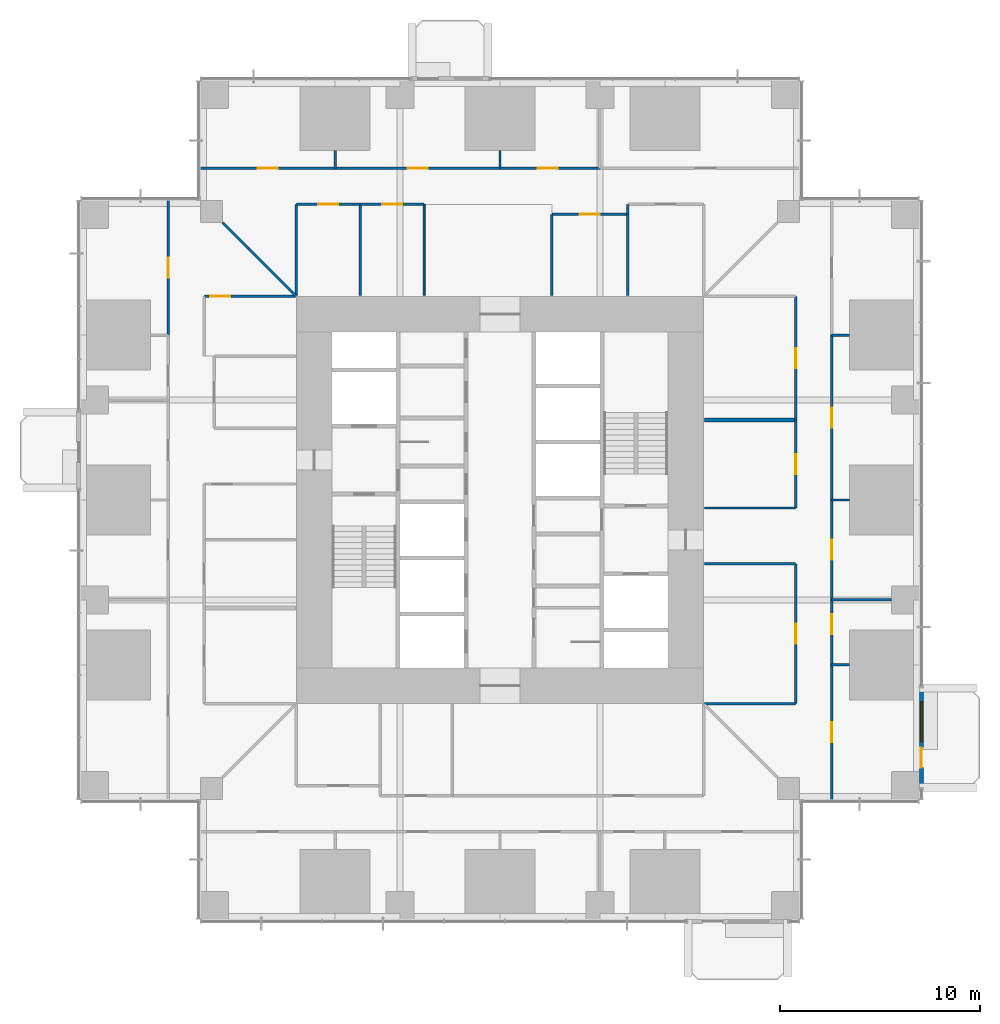
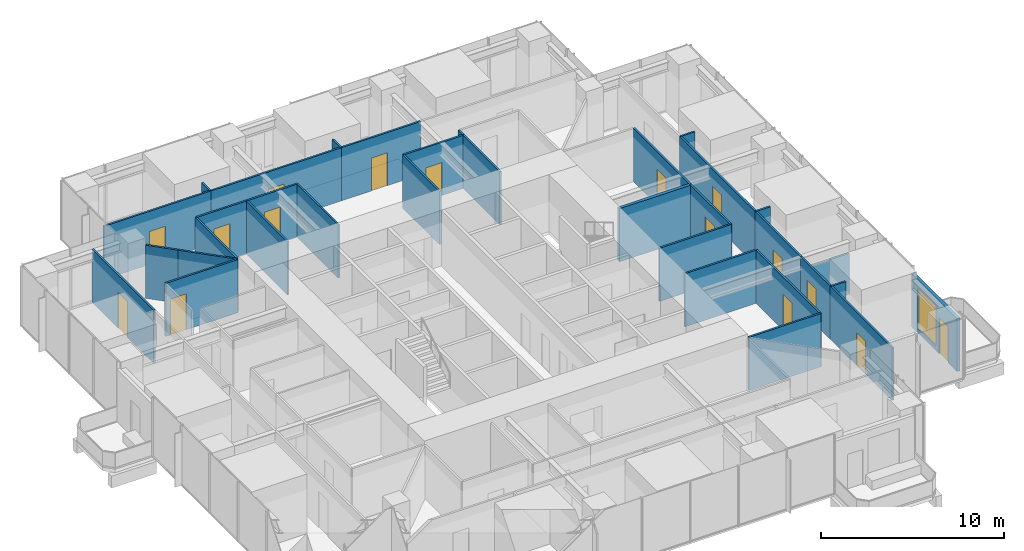
# One storey, part 12 of 17: 34 walls, 16 doors, 1 window, 17 openings.
"""IFC4 building model written with IfcOpenShell, lengths in metres."""

from ifc_helpers import new_model, si_unit, direction, frame, frame_2d, origin, place, context, subcontext, project, spatial, rectangle, extrude, material, layer, layer_set, type_object, element, fill, save


model = new_model("IFC4")

# Units and contexts
model_context = context("Model", 3, precision=1e-05, world=origin(), true_north=direction((0.0, 1.0)))
body_context = subcontext(model_context, "Body", "Model", "MODEL_VIEW")
ifc_project = project(units=[si_unit("LENGTHUNIT", "METRE"), si_unit("AREAUNIT", "SQUARE_METRE"), si_unit("VOLUMEUNIT", "CUBIC_METRE"), si_unit("PLANEANGLEUNIT", "RADIAN"), si_unit("MASSUNIT", "GRAM", prefix="KILO")], contexts=[model_context])

# Site, building, storey
site_placement = place(None, origin())
site = spatial("IfcSite", under=ifc_project, at=site_placement, CompositionType="ELEMENT")
building_placement = place(site_placement, origin())
building = spatial("IfcBuilding", under=site, at=building_placement, Name="Svetlomir Tower", CompositionType="ELEMENT")
storey_placement = place(building_placement, frame((0.0, 0.0, 82.5)))
storey = spatial("IfcBuildingStorey", under=building, at=storey_placement, Name="L19", CompositionType="ELEMENT", Elevation=82.5)

# Wall
ifc_material_1 = material(Name="Gypsum board on twin steel studs", Category="steel")
ifc_layer_1 = layer(ifc_material_1, 0.199951171875)
ifc_layer_set_1 = layer_set([ifc_layer_1], Name="Gypsum board on twin steel studs")
wall_type_1 = type_object("IfcWallType", Name="ACOUSTIC PARTITION 200", PredefinedType="PARTITIONING", material=ifc_layer_set_1)
wall_1_placement = place(storey_placement, frame((31.25, 25.0, 0.0), z_axis=(0.0, 0.0, 1.0), x_axis=(1.0, 0.0, 0.0)))
element("IfcWall", 1, at=wall_1_placement, inside=storey, type_object=wall_type_1, Name="Acoustic partition L19", PredefinedType="PARTITIONING", context=body_context, shape_type="SweptSolid", body=[
    extrude(rectangle(XDim=4.550048828125, YDim=0.199951171875, at=frame_2d((2.27490234375, 0.0))), origin(), (0.0, 0.0, 1.0), 3.550048828125),
])

# Wall, openings, door, window
ifc_material_2 = material(Name="Bronze anodised aluminium glazed screen", Category="aluminium")
ifc_layer_2 = layer(ifc_material_2, 0.199951171875)
ifc_layer_set_2 = layer_set([ifc_layer_2], Name="Bronze anodised aluminium glazed screen")
wall_type_2 = type_object("IfcWallType", Name="BALCONY SCREEN WALL 200", PredefinedType="USERDEFINED", material=ifc_layer_set_2)
wall_2_placement = place(storey_placement, frame((42.10009765625, 6.60009765625, 0.0), z_axis=(0.0, 0.0, 1.0), x_axis=(0.0, 1.0, 0.0)))
wall_2 = element("IfcWall", 2, at=wall_2_placement, inside=storey, type_object=wall_type_2, Name="Balcony screen E", ObjectType="GLAZED SCREEN", PredefinedType="USERDEFINED", context=body_context, shape_type="SweptSolid", body=[
    extrude(rectangle(XDim=5.0, YDim=0.199951171875, at=frame_2d((2.5, 0.0))), origin(), (0.0, 0.0, 1.0), 3.550048828125),
])
opening_1_placement = place(wall_2_placement, frame((1.0, 0.0, 0.0)))
opening_1 = element("IfcOpeningElement", 3, at=opening_1_placement, cuts=wall_2, Name="Opening BD", PredefinedType="OPENING", context=body_context, shape_type="SweptSolid", body=[
    extrude(rectangle(XDim=1.0, YDim=2.39990234375, at=frame_2d((0.5, 1.199951171875))), frame((0.0, 0.10986328125, 0.0), z_axis=(0.0, -1.0, 0.0), x_axis=(1.0, 0.0, 0.0)), (0.0, 0.0, 1.0), 0.219970703125),
])
opening_2_placement = place(wall_2_placement, frame((2.300048828125, 0.0, 0.300048828125)))
opening_2 = element("IfcOpeningElement", 4, at=opening_2_placement, cuts=wall_2, Name="Opening WS", PredefinedType="OPENING", context=body_context, shape_type="SweptSolid", body=[
    extrude(rectangle(XDim=2.0, YDim=2.699951171875, at=frame_2d((1.0, 1.35009765625))), frame((0.0, 0.10986328125, 0.0), z_axis=(0.0, -1.0, 0.0), x_axis=(1.0, 0.0, 0.0)), (0.0, 0.0, 1.0), 0.219970703125),
])
ifc_material_3 = material(Name="Bronze anodised aluminium glazed door", Category="aluminium")
door_type_1 = type_object("IfcDoorType", Name="BALCONY DOOR BD 1000x2400", OperationType="SINGLE_SWING_LEFT", PredefinedType="DOOR", material=ifc_material_3)
door_1_placement = place(opening_1_placement, origin())
door_1 = element("IfcDoor", 5, at=door_1_placement, inside=storey, type_object=door_type_1, Name="Balcony screen E door", OperationType="SINGLE_SWING_LEFT", OverallHeight=2.39990234375, OverallWidth=1.0, PredefinedType="DOOR", context=body_context, shape_type="SweptSolid", body=[
    extrude(rectangle(XDim=1.0, YDim=2.39990234375, at=frame_2d((0.5, 1.199951171875))), frame((0.0, 0.02490234375, 0.0), z_axis=(0.0, -1.0, 0.0), x_axis=(1.0, 0.0, 0.0)), (0.0, 0.0, 1.0), 0.050048828125),
])
fill(opening_1, door_1)
ifc_material_4 = material(Name="Bronze anodised aluminium window", Category="aluminium")
window_type = type_object("IfcWindowType", Name="SCREEN WINDOW WS 2000x2700", PartitioningType="SINGLE_PANEL", PredefinedType="WINDOW", material=ifc_material_4)
window_placement = place(opening_2_placement, origin())
window = element("IfcWindow", 6, at=window_placement, inside=storey, type_object=window_type, Name="Balcony screen E window 1", OverallHeight=2.699951171875, OverallWidth=2.0, PartitioningType="SINGLE_PANEL", PredefinedType="WINDOW", context=body_context, shape_type="SweptSolid", body=[
    extrude(rectangle(XDim=2.0, YDim=2.699951171875, at=frame_2d((1.0, 1.35009765625))), frame((0.0, 0.030029296875, 0.0), z_axis=(0.0, -1.0, 0.0), x_axis=(1.0, 0.0, 0.0)), (0.0, 0.0, 1.0), 0.06005859375),
])
fill(opening_2, window)

# Wall
ifc_material_5 = material(Name="Framed laminated glass partition", Category="glass")
ifc_layer_3 = layer(ifc_material_5, 0.10009765625)
ifc_layer_set_3 = layer_set([ifc_layer_3], Name="Framed laminated glass partition")
wall_type_3 = type_object("IfcWallType", Name="GLAZED PARTITION 100", PredefinedType="PARTITIONING", material=ifc_layer_set_3)
wall_3_placement = place(storey_placement, frame((17.199951171875, 31.25, 0.0), z_axis=(0.0, 0.0, 1.0), x_axis=(0.0, 1.0, 0.0)))
element("IfcWall", 7, at=wall_3_placement, inside=storey, type_object=wall_type_3, Name="Glazed partition L19", PredefinedType="PARTITIONING", context=body_context, shape_type="SweptSolid", body=[
    extrude(rectangle(XDim=4.550048828125, YDim=0.10009765625, at=frame_2d((2.27490234375, 0.0))), origin(), (0.0, 0.0, 1.0), 3.550048828125),
])

# Wall, opening, door
ifc_material_6 = material(Name="Gypsum board on steel studs", Category="steel")
ifc_layer_4 = layer(ifc_material_6, 0.1201171875)
ifc_layer_set_4 = layer_set([ifc_layer_4], Name="Gypsum board on steel studs")
wall_type_4 = type_object("IfcWallType", Name="PARTITION 120", PredefinedType="PARTITIONING", material=ifc_layer_set_4)
wall_4_placement = place(storey_placement, frame((4.39990234375, 29.25, 0.0), z_axis=(0.0, 0.0, 1.0), x_axis=(0.0, 1.0, 0.0)))
wall_4 = element("IfcWall", 8, at=wall_4_placement, inside=storey, type_object=wall_type_4, Name="Partition L19", PredefinedType="PARTITIONING", context=body_context, shape_type="SweptSolid", body=[
    extrude(rectangle(XDim=6.75, YDim=0.1201171875, at=frame_2d((3.375, 0.0))), origin(), (0.0, 0.0, 1.0), 3.550048828125),
])
opening_3_placement = place(wall_4_placement, frame((2.875, 0.0, 0.0)))
opening_3 = element("IfcOpeningElement", 9, at=opening_3_placement, cuts=wall_4, Name="Opening DG", PredefinedType="OPENING", context=body_context, shape_type="SweptSolid", body=[
    extrude(rectangle(XDim=1.0, YDim=2.39990234375, at=frame_2d((0.5, 1.199951171875))), frame((0.0, 0.070068359375, 0.0), z_axis=(0.0, -1.0, 0.0), x_axis=(1.0, 0.0, 0.0)), (0.0, 0.0, 1.0), 0.14013671875),
])
ifc_material_7 = material(Name="Framed laminated glass door", Category="glass")
door_type_2 = type_object("IfcDoorType", Name="GLAZED DOOR DG 1000x2400", OperationType="SINGLE_SWING_LEFT", PredefinedType="DOOR", material=ifc_material_7)
door_2_placement = place(opening_3_placement, origin())
door_2 = element("IfcDoor", 10, at=door_2_placement, inside=storey, type_object=door_type_2, Name="Ring corridor 3 door 3 L19", OperationType="SINGLE_SWING_LEFT", OverallHeight=2.39990234375, OverallWidth=1.0, PredefinedType="DOOR", context=body_context, shape_type="SweptSolid", body=[
    extrude(rectangle(XDim=1.0, YDim=2.39990234375, at=frame_2d((0.5, 1.199951171875))), frame((0.0, 0.02490234375, 0.0), z_axis=(0.0, -1.0, 0.0), x_axis=(1.0, 0.0, 0.0)), (0.0, 0.0, 1.0), 0.050048828125),
])
fill(opening_3, door_2)

wall_5_placement = place(storey_placement, frame((6.0, 37.60009765625, 0.0), z_axis=(0.0, 0.0, 1.0), x_axis=(1.0, 0.0, 0.0)))
wall_5 = element("IfcWall", 11, at=wall_5_placement, inside=storey, type_object=wall_type_4, Name="Partition L19", PredefinedType="PARTITIONING", context=body_context, shape_type="SweptSolid", body=[
    extrude(rectangle(XDim=6.75, YDim=0.1201171875, at=frame_2d((3.375, 0.0))), origin(), (0.0, 0.0, 1.0), 3.550048828125),
])
opening_4_placement = place(wall_5_placement, frame((2.875, 0.0, 0.0)))
opening_4 = element("IfcOpeningElement", 12, at=opening_4_placement, cuts=wall_5, Name="Opening DR", PredefinedType="OPENING", context=body_context, shape_type="SweptSolid", body=[
    extrude(rectangle(XDim=1.0, YDim=2.199951171875, at=frame_2d((0.5, 1.10009765625))), frame((0.0, 0.070068359375, 0.0), z_axis=(0.0, -1.0, 0.0), x_axis=(1.0, 0.0, 0.0)), (0.0, 0.0, 1.0), 0.14013671875),
])
ifc_material_8 = material(Name="Timber door, glazed side light", Category="wood")
door_type_3 = type_object("IfcDoorType", Name="DOOR DR 1000x2200", OperationType="SINGLE_SWING_LEFT", PredefinedType="DOOR", material=ifc_material_8)
door_3_placement = place(opening_4_placement, origin())
door_3 = element("IfcDoor", 13, at=door_3_placement, inside=storey, type_object=door_type_3, Name="Compliance analysts office door L19", OperationType="SINGLE_SWING_RIGHT", OverallHeight=2.199951171875, OverallWidth=1.0, PredefinedType="DOOR", context=body_context, shape_type="SweptSolid", body=[
    extrude(rectangle(XDim=1.0, YDim=2.199951171875, at=frame_2d((0.5, 1.10009765625))), frame((0.0, 0.02490234375, 0.0), z_axis=(0.0, -1.0, 0.0), x_axis=(1.0, 0.0, 0.0)), (0.0, 0.0, 1.0), 0.050048828125),
])
fill(opening_4, door_3)

wall_6_placement = place(storey_placement, frame((6.199951171875, 31.199951171875, 0.0), z_axis=(0.0, 0.0, 1.0), x_axis=(1.0, 0.0, 0.0)))
wall_6 = element("IfcWall", 14, at=wall_6_placement, inside=storey, type_object=wall_type_4, Name="Partition L19", PredefinedType="PARTITIONING", context=body_context, shape_type="SweptSolid", body=[
    extrude(rectangle(XDim=4.550048828125, YDim=0.1201171875, at=frame_2d((2.27490234375, 0.0))), origin(), (0.0, 0.0, 1.0), 3.550048828125),
])
opening_5_placement = place(wall_6_placement, frame((0.300048828125, 0.0, 0.0)))
opening_5 = element("IfcOpeningElement", 15, at=opening_5_placement, cuts=wall_6, Name="Opening DG", PredefinedType="OPENING", context=body_context, shape_type="SweptSolid", body=[
    extrude(rectangle(XDim=1.0, YDim=2.39990234375, at=frame_2d((0.5, 1.199951171875))), frame((0.0, 0.070068359375, 0.0), z_axis=(0.0, -1.0, 0.0), x_axis=(1.0, 0.0, 0.0)), (0.0, 0.0, 1.0), 0.14013671875),
])
door_4_placement = place(opening_5_placement, origin())
door_4 = element("IfcDoor", 16, at=door_4_placement, inside=storey, type_object=door_type_2, Name="Ring corridor 3 door 4 L19", OperationType="SINGLE_SWING_LEFT", OverallHeight=2.39990234375, OverallWidth=1.0, PredefinedType="DOOR", context=body_context, shape_type="SweptSolid", body=[
    extrude(rectangle(XDim=1.0, YDim=2.39990234375, at=frame_2d((0.5, 1.199951171875))), frame((0.0, 0.02490234375, 0.0), z_axis=(0.0, -1.0, 0.0), x_axis=(1.0, 0.0, 0.0)), (0.0, 0.0, 1.0), 0.050048828125),
])
fill(opening_5, door_4)

# Walls
wall_7_placement = place(storey_placement, frame((7.110107421875, 34.889892578125, 0.0), z_axis=(0.0, 0.0, 1.0), x_axis=(0.707106781187, -0.707106781187, 0.0)))
element("IfcWall", 17, at=wall_7_placement, inside=storey, type_object=wall_type_4, Name="Partition L19", PredefinedType="PARTITIONING", context=body_context, shape_type="SweptSolid", body=[
    extrude(rectangle(XDim=1.822021484375, YDim=0.1201171875, at=frame_2d((0.9111328125, 0.0))), origin(), (0.0, 0.0, 1.0), 3.550048828125),
])
wall_8_placement = place(storey_placement, frame((8.3984375, 33.6015625, 0.0), z_axis=(0.0, 0.0, 1.0), x_axis=(0.707106781187, -0.707106781187, 0.0)))
element("IfcWall", 18, at=wall_8_placement, inside=storey, type_object=wall_type_4, Name="Partition L19", PredefinedType="PARTITIONING", context=body_context, shape_type="SweptSolid", body=[
    extrude(rectangle(XDim=3.346435546875, YDim=0.1201171875, at=frame_2d((1.67333984375, 0.0))), origin(), (0.0, 0.0, 1.0), 3.550048828125),
])
wall_9_placement = place(storey_placement, frame((10.800048828125, 31.25, 0.0), z_axis=(0.0, 0.0, 1.0), x_axis=(0.0, 1.0, 0.0)))
element("IfcWall", 19, at=wall_9_placement, inside=storey, type_object=wall_type_4, Name="Partition L19", PredefinedType="PARTITIONING", context=body_context, shape_type="SweptSolid", body=[
    extrude(rectangle(XDim=4.550048828125, YDim=0.1201171875, at=frame_2d((2.27490234375, 0.0))), origin(), (0.0, 0.0, 1.0), 3.550048828125),
])

# Wall, opening, door
wall_10_placement = place(storey_placement, frame((10.800048828125, 35.800048828125, 0.0), z_axis=(0.0, 0.0, 1.0), x_axis=(1.0, 0.0, 0.0)))
wall_10 = element("IfcWall", 20, at=wall_10_placement, inside=storey, type_object=wall_type_4, Name="Partition L19", PredefinedType="PARTITIONING", context=body_context, shape_type="SweptSolid", body=[
    extrude(rectangle(XDim=3.199951171875, YDim=0.1201171875, at=frame_2d((1.60009765625, 0.0))), origin(), (0.0, 0.0, 1.0), 3.550048828125),
])
opening_6_placement = place(wall_10_placement, frame((1.10009765625, 0.0, 0.0)))
opening_6 = element("IfcOpeningElement", 21, at=opening_6_placement, cuts=wall_10, Name="Opening DG", PredefinedType="OPENING", context=body_context, shape_type="SweptSolid", body=[
    extrude(rectangle(XDim=1.0, YDim=2.39990234375, at=frame_2d((0.5, 1.199951171875))), frame((0.0, 0.070068359375, 0.0), z_axis=(0.0, -1.0, 0.0), x_axis=(1.0, 0.0, 0.0)), (0.0, 0.0, 1.0), 0.14013671875),
])
door_5_placement = place(opening_6_placement, origin())
door_5 = element("IfcDoor", 22, at=door_5_placement, inside=storey, type_object=door_type_2, Name="Focus room 1 door L19", OperationType="SINGLE_SWING_LEFT", OverallHeight=2.39990234375, OverallWidth=1.0, PredefinedType="DOOR", context=body_context, shape_type="SweptSolid", body=[
    extrude(rectangle(XDim=1.0, YDim=2.39990234375, at=frame_2d((0.5, 1.199951171875))), frame((0.0, 0.02490234375, 0.0), z_axis=(0.0, -1.0, 0.0), x_axis=(1.0, 0.0, 0.0)), (0.0, 0.0, 1.0), 0.050048828125),
])
fill(opening_6, door_5)

# Wall
wall_11_placement = place(storey_placement, frame((12.75, 37.60009765625, 0.0), z_axis=(0.0, 0.0, 1.0), x_axis=(0.0, 1.0, 0.0)))
element("IfcWall", 23, at=wall_11_placement, inside=storey, type_object=wall_type_4, Name="Partition L19", PredefinedType="PARTITIONING", context=body_context, shape_type="SweptSolid", body=[
    extrude(rectangle(XDim=0.889892578125, YDim=0.1201171875, at=frame_2d((0.44482421875, 0.0))), origin(), (0.0, 0.0, 1.0), 3.550048828125),
])

# Wall, opening, door
wall_12_placement = place(storey_placement, frame((12.75, 37.60009765625, 0.0), z_axis=(0.0, 0.0, 1.0), x_axis=(1.0, 0.0, 0.0)))
wall_12 = element("IfcWall", 24, at=wall_12_placement, inside=storey, type_object=wall_type_4, Name="Partition L19", PredefinedType="PARTITIONING", context=body_context, shape_type="SweptSolid", body=[
    extrude(rectangle(XDim=8.25, YDim=0.1201171875, at=frame_2d((4.125, 0.0))), origin(), (0.0, 0.0, 1.0), 3.550048828125),
])
opening_7_placement = place(wall_12_placement, frame((3.625, 0.0, 0.0)))
opening_7 = element("IfcOpeningElement", 25, at=opening_7_placement, cuts=wall_12, Name="Opening DG", PredefinedType="OPENING", context=body_context, shape_type="SweptSolid", body=[
    extrude(rectangle(XDim=1.0, YDim=2.39990234375, at=frame_2d((0.5, 1.199951171875))), frame((0.0, 0.070068359375, 0.0), z_axis=(0.0, -1.0, 0.0), x_axis=(1.0, 0.0, 0.0)), (0.0, 0.0, 1.0), 0.14013671875),
])
door_6_placement = place(opening_7_placement, origin())
door_6 = element("IfcDoor", 26, at=door_6_placement, inside=storey, type_object=door_type_2, Name="Ring corridor 4 door 1 L19", OperationType="SINGLE_SWING_RIGHT", OverallHeight=2.39990234375, OverallWidth=1.0, PredefinedType="DOOR", context=body_context, shape_type="SweptSolid", body=[
    extrude(rectangle(XDim=1.0, YDim=2.39990234375, at=frame_2d((0.5, 1.199951171875))), frame((0.0, 0.02490234375, 0.0), z_axis=(0.0, -1.0, 0.0), x_axis=(1.0, 0.0, 0.0)), (0.0, 0.0, 1.0), 0.050048828125),
])
fill(opening_7, door_6)

# Wall
wall_13_placement = place(storey_placement, frame((14.0, 31.25, 0.0), z_axis=(0.0, 0.0, 1.0), x_axis=(0.0, 1.0, 0.0)))
element("IfcWall", 27, at=wall_13_placement, inside=storey, type_object=wall_type_4, Name="Partition L19", PredefinedType="PARTITIONING", context=body_context, shape_type="SweptSolid", body=[
    extrude(rectangle(XDim=4.550048828125, YDim=0.1201171875, at=frame_2d((2.27490234375, 0.0))), origin(), (0.0, 0.0, 1.0), 3.550048828125),
])

# Wall, opening, door
wall_14_placement = place(storey_placement, frame((14.0, 35.800048828125, 0.0), z_axis=(0.0, 0.0, 1.0), x_axis=(1.0, 0.0, 0.0)))
wall_14 = element("IfcWall", 28, at=wall_14_placement, inside=storey, type_object=wall_type_4, Name="Partition L19", PredefinedType="PARTITIONING", context=body_context, shape_type="SweptSolid", body=[
    extrude(rectangle(XDim=3.199951171875, YDim=0.1201171875, at=frame_2d((1.60009765625, 0.0))), origin(), (0.0, 0.0, 1.0), 3.550048828125),
])
opening_8_placement = place(wall_14_placement, frame((1.10009765625, 0.0, 0.0)))
opening_8 = element("IfcOpeningElement", 29, at=opening_8_placement, cuts=wall_14, Name="Opening DG", PredefinedType="OPENING", context=body_context, shape_type="SweptSolid", body=[
    extrude(rectangle(XDim=1.0, YDim=2.39990234375, at=frame_2d((0.5, 1.199951171875))), frame((0.0, 0.070068359375, 0.0), z_axis=(0.0, -1.0, 0.0), x_axis=(1.0, 0.0, 0.0)), (0.0, 0.0, 1.0), 0.14013671875),
])
door_7_placement = place(opening_8_placement, origin())
door_7 = element("IfcDoor", 30, at=door_7_placement, inside=storey, type_object=door_type_2, Name="Focus room 2 door L19", OperationType="SINGLE_SWING_RIGHT", OverallHeight=2.39990234375, OverallWidth=1.0, PredefinedType="DOOR", context=body_context, shape_type="SweptSolid", body=[
    extrude(rectangle(XDim=1.0, YDim=2.39990234375, at=frame_2d((0.5, 1.199951171875))), frame((0.0, 0.02490234375, 0.0), z_axis=(0.0, -1.0, 0.0), x_axis=(1.0, 0.0, 0.0)), (0.0, 0.0, 1.0), 0.050048828125),
])
fill(opening_8, door_7)

# Wall
wall_15_placement = place(storey_placement, frame((21.0, 37.60009765625, 0.0), z_axis=(0.0, 0.0, 1.0), x_axis=(0.0, 1.0, 0.0)))
element("IfcWall", 31, at=wall_15_placement, inside=storey, type_object=wall_type_4, Name="Partition L19", PredefinedType="PARTITIONING", context=body_context, shape_type="SweptSolid", body=[
    extrude(rectangle(XDim=0.889892578125, YDim=0.1201171875, at=frame_2d((0.44482421875, 0.0))), origin(), (0.0, 0.0, 1.0), 3.550048828125),
])

# Wall, opening, door
wall_16_placement = place(storey_placement, frame((21.0, 37.60009765625, 0.0), z_axis=(0.0, 0.0, 1.0), x_axis=(1.0, 0.0, 0.0)))
wall_16 = element("IfcWall", 32, at=wall_16_placement, inside=storey, type_object=wall_type_4, Name="Partition L19", PredefinedType="PARTITIONING", context=body_context, shape_type="SweptSolid", body=[
    extrude(rectangle(XDim=5.0, YDim=0.1201171875, at=frame_2d((2.5, 0.0))), origin(), (0.0, 0.0, 1.0), 3.550048828125),
])
opening_9_placement = place(wall_16_placement, frame((1.89990234375, 0.0, 0.0)))
opening_9 = element("IfcOpeningElement", 33, at=opening_9_placement, cuts=wall_16, Name="Opening DR", PredefinedType="OPENING", context=body_context, shape_type="SweptSolid", body=[
    extrude(rectangle(XDim=1.0, YDim=2.199951171875, at=frame_2d((0.5, 1.10009765625))), frame((0.0, 0.070068359375, 0.0), z_axis=(0.0, -1.0, 0.0), x_axis=(1.0, 0.0, 0.0)), (0.0, 0.0, 1.0), 0.14013671875),
])
door_8_placement = place(opening_9_placement, origin())
door_8 = element("IfcDoor", 34, at=door_8_placement, inside=storey, type_object=door_type_3, Name="Money laundering reporting office door L19", OperationType="SINGLE_SWING_LEFT", OverallHeight=2.199951171875, OverallWidth=1.0, PredefinedType="DOOR", context=body_context, shape_type="SweptSolid", body=[
    extrude(rectangle(XDim=1.0, YDim=2.199951171875, at=frame_2d((0.5, 1.10009765625))), frame((0.0, 0.02490234375, 0.0), z_axis=(0.0, -1.0, 0.0), x_axis=(1.0, 0.0, 0.0)), (0.0, 0.0, 1.0), 0.050048828125),
])
fill(opening_9, door_8)

# Wall
wall_17_placement = place(storey_placement, frame((23.60009765625, 31.25, 0.0), z_axis=(0.0, 0.0, 1.0), x_axis=(0.0, 1.0, 0.0)))
element("IfcWall", 35, at=wall_17_placement, inside=storey, type_object=wall_type_4, Name="Partition L19", PredefinedType="PARTITIONING", context=body_context, shape_type="SweptSolid", body=[
    extrude(rectangle(XDim=4.050048828125, YDim=0.1201171875, at=frame_2d((2.02490234375, 0.0))), origin(), (0.0, 0.0, 1.0), 3.550048828125),
])

# Wall, opening, door
wall_18_placement = place(storey_placement, frame((23.60009765625, 35.300048828125, 0.0), z_axis=(0.0, 0.0, 1.0), x_axis=(1.0, 0.0, 0.0)))
wall_18 = element("IfcWall", 36, at=wall_18_placement, inside=storey, type_object=wall_type_4, Name="Partition L19", PredefinedType="PARTITIONING", context=body_context, shape_type="SweptSolid", body=[
    extrude(rectangle(XDim=3.7998046875, YDim=0.1201171875, at=frame_2d((1.89990234375, 0.0))), origin(), (0.0, 0.0, 1.0), 3.550048828125),
])
opening_10_placement = place(wall_18_placement, frame((1.39990234375, 0.0, 0.0)))
opening_10 = element("IfcOpeningElement", 37, at=opening_10_placement, cuts=wall_18, Name="Opening DR", PredefinedType="OPENING", context=body_context, shape_type="SweptSolid", body=[
    extrude(rectangle(XDim=1.0, YDim=2.199951171875, at=frame_2d((0.5, 1.10009765625))), frame((0.0, 0.070068359375, 0.0), z_axis=(0.0, -1.0, 0.0), x_axis=(1.0, 0.0, 0.0)), (0.0, 0.0, 1.0), 0.14013671875),
])
door_9_placement = place(opening_10_placement, origin())
door_9 = element("IfcDoor", 38, at=door_9_placement, inside=storey, type_object=door_type_3, Name="Print and copy room door L19", OperationType="SINGLE_SWING_LEFT", OverallHeight=2.199951171875, OverallWidth=1.0, PredefinedType="DOOR", context=body_context, shape_type="SweptSolid", body=[
    extrude(rectangle(XDim=1.0, YDim=2.199951171875, at=frame_2d((0.5, 1.10009765625))), frame((0.0, 0.02490234375, 0.0), z_axis=(0.0, -1.0, 0.0), x_axis=(1.0, 0.0, 0.0)), (0.0, 0.0, 1.0), 0.050048828125),
])
fill(opening_10, door_9)

# Walls
wall_19_placement = place(storey_placement, frame((27.39990234375, 31.25, 0.0), z_axis=(0.0, 0.0, 1.0), x_axis=(0.0, 1.0, 0.0)))
element("IfcWall", 39, at=wall_19_placement, inside=storey, type_object=wall_type_4, Name="Partition L19", PredefinedType="PARTITIONING", context=body_context, shape_type="SweptSolid", body=[
    extrude(rectangle(XDim=4.050048828125, YDim=0.1201171875, at=frame_2d((2.02490234375, 0.0))), origin(), (0.0, 0.0, 1.0), 3.550048828125),
])
wall_20_placement = place(storey_placement, frame((27.39990234375, 35.300048828125, 0.0), z_axis=(0.0, 0.0, 1.0), x_axis=(0.0, 1.0, 0.0)))
element("IfcWall", 40, at=wall_20_placement, inside=storey, type_object=wall_type_4, Name="Partition L19", PredefinedType="PARTITIONING", context=body_context, shape_type="SweptSolid", body=[
    extrude(rectangle(XDim=0.5, YDim=0.1201171875, at=frame_2d((0.25, 0.0))), origin(), (0.0, 0.0, 1.0), 3.550048828125),
])
for number, where, z_axis, x_axis, name in (
    (41, (31.25, 10.800048828125, 0.0), (0.0, 0.0, 1.0), (1.0, 0.0, 0.0), "Partition L19"),
    (42, (31.25, 17.800048828125, 0.0), (0.0, 0.0, 1.0), (1.0, 0.0, 0.0), "Partition L19"),
    (43, (31.25, 20.60009765625, 0.0), (0.0, 0.0, 1.0), (1.0, 0.0, 0.0), "Partition L19"),
):
    element("IfcWall", number, at=place(storey_placement, frame(where, z_axis=z_axis, x_axis=x_axis)), inside=storey, type_object=wall_type_4, Name=name, PredefinedType="PARTITIONING", context=body_context, shape_type="SweptSolid", body=[
        extrude(rectangle(XDim=4.550048828125, YDim=0.1201171875, at=frame_2d((2.27490234375, 0.0))), origin(), (0.0, 0.0, 1.0), 3.550048828125),
    ])

# Wall, opening, door
wall_21_placement = place(storey_placement, frame((35.800048828125, 10.800048828125, 0.0), z_axis=(0.0, 0.0, 1.0), x_axis=(0.0, 1.0, 0.0)))
wall_21 = element("IfcWall", 44, at=wall_21_placement, inside=storey, type_object=wall_type_4, Name="Partition L19", PredefinedType="PARTITIONING", context=body_context, shape_type="SweptSolid", body=[
    extrude(rectangle(XDim=7.0, YDim=0.1201171875, at=frame_2d((3.5, 0.0))), origin(), (0.0, 0.0, 1.0), 3.550048828125),
])
opening_11_placement = place(wall_21_placement, frame((3.0, 0.0, 0.0)))
opening_11 = element("IfcOpeningElement", 45, at=opening_11_placement, cuts=wall_21, Name="Opening DG", PredefinedType="OPENING", context=body_context, shape_type="SweptSolid", body=[
    extrude(rectangle(XDim=1.0, YDim=2.39990234375, at=frame_2d((0.5, 1.199951171875))), frame((0.0, 0.070068359375, 0.0), z_axis=(0.0, -1.0, 0.0), x_axis=(1.0, 0.0, 0.0)), (0.0, 0.0, 1.0), 0.14013671875),
])
door_10_placement = place(opening_11_placement, origin())
door_10 = element("IfcDoor", 46, at=door_10_placement, inside=storey, type_object=door_type_2, Name="Ring corridor 2 door 3 L19", OperationType="SINGLE_SWING_LEFT", OverallHeight=2.39990234375, OverallWidth=1.0, PredefinedType="DOOR", context=body_context, shape_type="SweptSolid", body=[
    extrude(rectangle(XDim=1.0, YDim=2.39990234375, at=frame_2d((0.5, 1.199951171875))), frame((0.0, 0.02490234375, 0.0), z_axis=(0.0, -1.0, 0.0), x_axis=(1.0, 0.0, 0.0)), (0.0, 0.0, 1.0), 0.050048828125),
])
fill(opening_11, door_10)

wall_22_placement = place(storey_placement, frame((35.800048828125, 20.60009765625, 0.0), z_axis=(0.0, 0.0, 1.0), x_axis=(0.0, 1.0, 0.0)))
wall_22 = element("IfcWall", 47, at=wall_22_placement, inside=storey, type_object=wall_type_4, Name="Partition L19", PredefinedType="PARTITIONING", context=body_context, shape_type="SweptSolid", body=[
    extrude(rectangle(XDim=4.39990234375, YDim=0.1201171875, at=frame_2d((2.199951171875, 0.0))), origin(), (0.0, 0.0, 1.0), 3.550048828125),
])
opening_12_placement = place(wall_22_placement, frame((1.699951171875, 0.0, 0.0)))
opening_12 = element("IfcOpeningElement", 48, at=opening_12_placement, cuts=wall_22, Name="Opening DG", PredefinedType="OPENING", context=body_context, shape_type="SweptSolid", body=[
    extrude(rectangle(XDim=1.0, YDim=2.39990234375, at=frame_2d((0.5, 1.199951171875))), frame((0.0, 0.070068359375, 0.0), z_axis=(0.0, -1.0, 0.0), x_axis=(1.0, 0.0, 0.0)), (0.0, 0.0, 1.0), 0.14013671875),
])
door_11_placement = place(opening_12_placement, origin())
door_11 = element("IfcDoor", 49, at=door_11_placement, inside=storey, type_object=door_type_2, Name="Meeting room, 8 seats door L19", OperationType="SINGLE_SWING_RIGHT", OverallHeight=2.39990234375, OverallWidth=1.0, PredefinedType="DOOR", context=body_context, shape_type="SweptSolid", body=[
    extrude(rectangle(XDim=1.0, YDim=2.39990234375, at=frame_2d((0.5, 1.199951171875))), frame((0.0, 0.02490234375, 0.0), z_axis=(0.0, -1.0, 0.0), x_axis=(1.0, 0.0, 0.0)), (0.0, 0.0, 1.0), 0.050048828125),
])
fill(opening_12, door_11)

wall_23_placement = place(storey_placement, frame((35.800048828125, 25.0, 0.0), z_axis=(0.0, 0.0, 1.0), x_axis=(0.0, 1.0, 0.0)))
wall_23 = element("IfcWall", 50, at=wall_23_placement, inside=storey, type_object=wall_type_4, Name="Partition L19", PredefinedType="PARTITIONING", context=body_context, shape_type="SweptSolid", body=[
    extrude(rectangle(XDim=6.199951171875, YDim=0.1201171875, at=frame_2d((3.10009765625, 0.0))), origin(), (0.0, 0.0, 1.0), 3.550048828125),
])
opening_13_placement = place(wall_23_placement, frame((2.60009765625, 0.0, 0.0)))
opening_13 = element("IfcOpeningElement", 51, at=opening_13_placement, cuts=wall_23, Name="Opening DG", PredefinedType="OPENING", context=body_context, shape_type="SweptSolid", body=[
    extrude(rectangle(XDim=1.0, YDim=2.39990234375, at=frame_2d((0.5, 1.199951171875))), frame((0.0, 0.070068359375, 0.0), z_axis=(0.0, -1.0, 0.0), x_axis=(1.0, 0.0, 0.0)), (0.0, 0.0, 1.0), 0.14013671875),
])
door_12_placement = place(opening_13_placement, origin())
door_12 = element("IfcDoor", 52, at=door_12_placement, inside=storey, type_object=door_type_2, Name="Audit committee room, 12 seats door L19", OperationType="SINGLE_SWING_LEFT", OverallHeight=2.39990234375, OverallWidth=1.0, PredefinedType="DOOR", context=body_context, shape_type="SweptSolid", body=[
    extrude(rectangle(XDim=1.0, YDim=2.39990234375, at=frame_2d((0.5, 1.199951171875))), frame((0.0, 0.02490234375, 0.0), z_axis=(0.0, -1.0, 0.0), x_axis=(1.0, 0.0, 0.0)), (0.0, 0.0, 1.0), 0.050048828125),
])
fill(opening_13, door_12)

wall_24_placement = place(storey_placement, frame((37.60009765625, 6.0, 0.0), z_axis=(0.0, 0.0, 1.0), x_axis=(0.0, 1.0, 0.0)))
wall_24 = element("IfcWall", 53, at=wall_24_placement, inside=storey, type_object=wall_type_4, Name="Partition L19", PredefinedType="PARTITIONING", context=body_context, shape_type="SweptSolid", body=[
    extrude(rectangle(XDim=6.75, YDim=0.1201171875, at=frame_2d((3.375, 0.0))), origin(), (0.0, 0.0, 1.0), 3.550048828125),
])
opening_14_placement = place(wall_24_placement, frame((2.875, 0.0, 0.0)))
opening_14 = element("IfcOpeningElement", 54, at=opening_14_placement, cuts=wall_24, Name="Opening DR", PredefinedType="OPENING", context=body_context, shape_type="SweptSolid", body=[
    extrude(rectangle(XDim=1.0, YDim=2.199951171875, at=frame_2d((0.5, 1.10009765625))), frame((0.0, 0.070068359375, 0.0), z_axis=(0.0, -1.0, 0.0), x_axis=(1.0, 0.0, 0.0)), (0.0, 0.0, 1.0), 0.14013671875),
])
door_13_placement = place(opening_14_placement, origin())
door_13 = element("IfcDoor", 55, at=door_13_placement, inside=storey, type_object=door_type_3, Name="Internal auditor office door L19", OperationType="SINGLE_SWING_RIGHT", OverallHeight=2.199951171875, OverallWidth=1.0, PredefinedType="DOOR", context=body_context, shape_type="SweptSolid", body=[
    extrude(rectangle(XDim=1.0, YDim=2.199951171875, at=frame_2d((0.5, 1.10009765625))), frame((0.0, 0.02490234375, 0.0), z_axis=(0.0, -1.0, 0.0), x_axis=(1.0, 0.0, 0.0)), (0.0, 0.0, 1.0), 0.050048828125),
])
fill(opening_14, door_13)

wall_25_placement = place(storey_placement, frame((37.60009765625, 12.75, 0.0), z_axis=(0.0, 0.0, 1.0), x_axis=(0.0, 1.0, 0.0)))
wall_25 = element("IfcWall", 56, at=wall_25_placement, inside=storey, type_object=wall_type_4, Name="Partition L19", PredefinedType="PARTITIONING", context=body_context, shape_type="SweptSolid", body=[
    extrude(rectangle(XDim=3.25, YDim=0.1201171875, at=frame_2d((1.625, 0.0))), origin(), (0.0, 0.0, 1.0), 3.550048828125),
])
opening_15_placement = place(wall_25_placement, frame((1.52490234375, 0.0, 0.0)))
opening_15 = element("IfcOpeningElement", 57, at=opening_15_placement, cuts=wall_25, Name="Opening DG", PredefinedType="OPENING", context=body_context, shape_type="SweptSolid", body=[
    extrude(rectangle(XDim=1.0, YDim=2.39990234375, at=frame_2d((0.5, 1.199951171875))), frame((0.0, 0.070068359375, 0.0), z_axis=(0.0, -1.0, 0.0), x_axis=(1.0, 0.0, 0.0)), (0.0, 0.0, 1.0), 0.14013671875),
])
door_14_placement = place(opening_15_placement, origin())
door_14 = element("IfcDoor", 58, at=door_14_placement, inside=storey, type_object=door_type_2, Name="Ring corridor 2 door 2 L19", OperationType="SINGLE_SWING_RIGHT", OverallHeight=2.39990234375, OverallWidth=1.0, PredefinedType="DOOR", context=body_context, shape_type="SweptSolid", body=[
    extrude(rectangle(XDim=1.0, YDim=2.39990234375, at=frame_2d((0.5, 1.199951171875))), frame((0.0, 0.02490234375, 0.0), z_axis=(0.0, -1.0, 0.0), x_axis=(1.0, 0.0, 0.0)), (0.0, 0.0, 1.0), 0.050048828125),
])
fill(opening_15, door_14)

# Wall
wall_26_placement = place(storey_placement, frame((37.60009765625, 12.75, 0.0), z_axis=(0.0, 0.0, 1.0), x_axis=(1.0, 0.0, 0.0)))
element("IfcWall", 59, at=wall_26_placement, inside=storey, type_object=wall_type_4, Name="Partition L19", PredefinedType="PARTITIONING", context=body_context, shape_type="SweptSolid", body=[
    extrude(rectangle(XDim=0.889892578125, YDim=0.1201171875, at=frame_2d((0.44482421875, 0.0))), origin(), (0.0, 0.0, 1.0), 3.550048828125),
])

# Wall, opening, door
wall_27_placement = place(storey_placement, frame((37.60009765625, 16.0, 0.0), z_axis=(0.0, 0.0, 1.0), x_axis=(0.0, 1.0, 0.0)))
wall_27 = element("IfcWall", 60, at=wall_27_placement, inside=storey, type_object=wall_type_4, Name="Partition L19", PredefinedType="PARTITIONING", context=body_context, shape_type="SweptSolid", body=[
    extrude(rectangle(XDim=5.0, YDim=0.1201171875, at=frame_2d((2.5, 0.0))), origin(), (0.0, 0.0, 1.0), 3.550048828125),
])
opening_16_placement = place(wall_27_placement, frame((2.0, 0.0, 0.0)))
opening_16 = element("IfcOpeningElement", 61, at=opening_16_placement, cuts=wall_27, Name="Opening DR", PredefinedType="OPENING", context=body_context, shape_type="SweptSolid", body=[
    extrude(rectangle(XDim=1.0, YDim=2.199951171875, at=frame_2d((0.5, 1.10009765625))), frame((0.0, 0.070068359375, 0.0), z_axis=(0.0, -1.0, 0.0), x_axis=(1.0, 0.0, 0.0)), (0.0, 0.0, 1.0), 0.14013671875),
])
door_15_placement = place(opening_16_placement, origin())
door_15 = element("IfcDoor", 62, at=door_15_placement, inside=storey, type_object=door_type_3, Name="Compliance officer office door L19", OperationType="SINGLE_SWING_LEFT", OverallHeight=2.199951171875, OverallWidth=1.0, PredefinedType="DOOR", context=body_context, shape_type="SweptSolid", body=[
    extrude(rectangle(XDim=1.0, YDim=2.199951171875, at=frame_2d((0.5, 1.10009765625))), frame((0.0, 0.02490234375, 0.0), z_axis=(0.0, -1.0, 0.0), x_axis=(1.0, 0.0, 0.0)), (0.0, 0.0, 1.0), 0.050048828125),
])
fill(opening_16, door_15)

# Wall
wall_28_placement = place(storey_placement, frame((37.60009765625, 16.0, 0.0), z_axis=(0.0, 0.0, 1.0), x_axis=(1.0, 0.0, 0.0)))
element("IfcWall", 63, at=wall_28_placement, inside=storey, type_object=wall_type_4, Name="Partition L19", PredefinedType="PARTITIONING", context=body_context, shape_type="SweptSolid", body=[
    extrude(rectangle(XDim=2.989990234375, YDim=0.1201171875, at=frame_2d((1.4951171875, 0.0))), origin(), (0.0, 0.0, 1.0), 2.736083984375),
])

# Wall, opening, door
wall_29_placement = place(storey_placement, frame((37.60009765625, 21.0, 0.0), z_axis=(0.0, 0.0, 1.0), x_axis=(0.0, 1.0, 0.0)))
wall_29 = element("IfcWall", 64, at=wall_29_placement, inside=storey, type_object=wall_type_4, Name="Partition L19", PredefinedType="PARTITIONING", context=body_context, shape_type="SweptSolid", body=[
    extrude(rectangle(XDim=8.25, YDim=0.1201171875, at=frame_2d((4.125, 0.0))), origin(), (0.0, 0.0, 1.0), 3.550048828125),
])
opening_17_placement = place(wall_29_placement, frame((3.625, 0.0, 0.0)))
opening_17 = element("IfcOpeningElement", 65, at=opening_17_placement, cuts=wall_29, Name="Opening DG", PredefinedType="OPENING", context=body_context, shape_type="SweptSolid", body=[
    extrude(rectangle(XDim=1.0, YDim=2.39990234375, at=frame_2d((0.5, 1.199951171875))), frame((0.0, 0.070068359375, 0.0), z_axis=(0.0, -1.0, 0.0), x_axis=(1.0, 0.0, 0.0)), (0.0, 0.0, 1.0), 0.14013671875),
])
door_16_placement = place(opening_17_placement, origin())
door_16 = element("IfcDoor", 66, at=door_16_placement, inside=storey, type_object=door_type_2, Name="Ring corridor 2 door 1 L19", OperationType="SINGLE_SWING_LEFT", OverallHeight=2.39990234375, OverallWidth=1.0, PredefinedType="DOOR", context=body_context, shape_type="SweptSolid", body=[
    extrude(rectangle(XDim=1.0, YDim=2.39990234375, at=frame_2d((0.5, 1.199951171875))), frame((0.0, 0.02490234375, 0.0), z_axis=(0.0, -1.0, 0.0), x_axis=(1.0, 0.0, 0.0)), (0.0, 0.0, 1.0), 0.050048828125),
])
fill(opening_17, door_16)

# Walls
for number, where, z_axis, x_axis, name in (
    (67, (37.60009765625, 21.0, 0.0), (0.0, 0.0, 1.0), (1.0, 0.0, 0.0), "Partition L19"),
    (68, (37.60009765625, 29.25, 0.0), (0.0, 0.0, 1.0), (1.0, 0.0, 0.0), "Partition L19"),
):
    element("IfcWall", number, at=place(storey_placement, frame(where, z_axis=z_axis, x_axis=x_axis)), inside=storey, type_object=wall_type_4, Name=name, PredefinedType="PARTITIONING", context=body_context, shape_type="SweptSolid", body=[
        extrude(rectangle(XDim=0.889892578125, YDim=0.1201171875, at=frame_2d((0.44482421875, 0.0))), origin(), (0.0, 0.0, 1.0), 3.550048828125),
    ])

save(model, "model.ifc")
